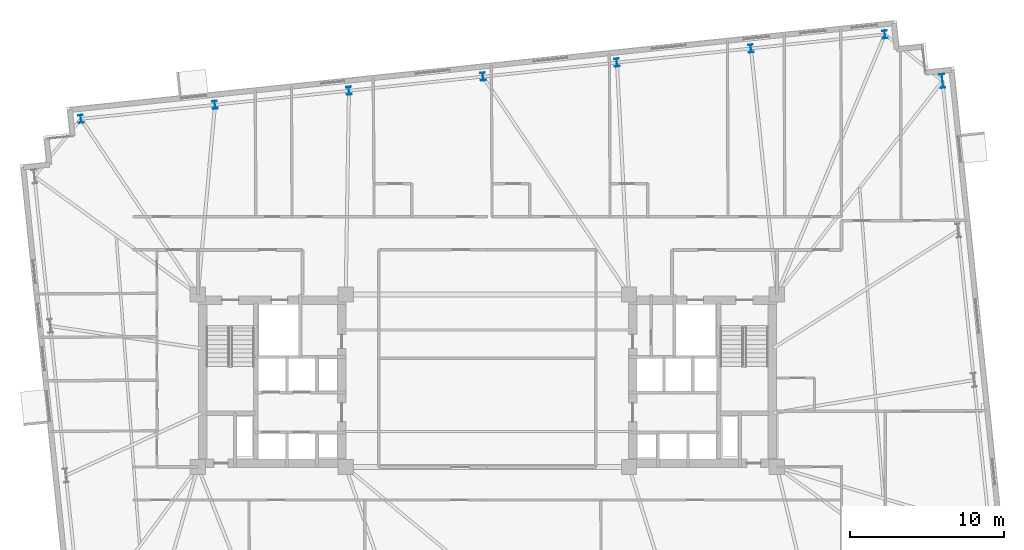
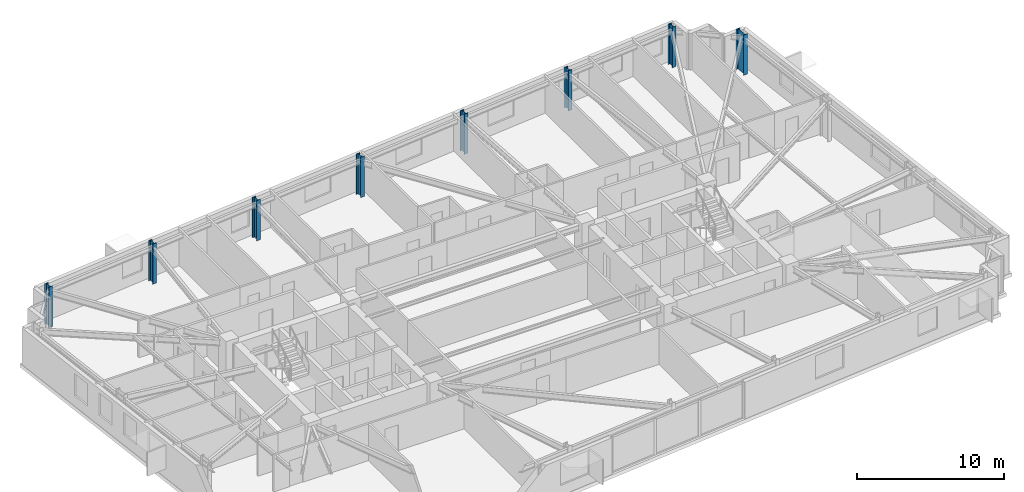
# One storey, part 3 of 23: 8 columns.
"""IFC4 building model written with IfcOpenShell, lengths in metres."""

from ifc_helpers import new_model, si_unit, direction, frame, origin, origin_2d, place, context, subcontext, project, spatial, i_section, extrude, material, material_profile, profile_set, type_object, element, save


model = new_model("IFC4")

# Units and contexts
model_context = context("Model", 3, precision=1e-05, world=origin(), true_north=direction((0.0, 1.0)))
body_context = subcontext(model_context, "Body", "Model", "MODEL_VIEW")
ifc_project = project(units=[si_unit("LENGTHUNIT", "METRE"), si_unit("AREAUNIT", "SQUARE_METRE"), si_unit("VOLUMEUNIT", "CUBIC_METRE"), si_unit("PLANEANGLEUNIT", "RADIAN"), si_unit("MASSUNIT", "GRAM", prefix="KILO")], contexts=[model_context])

# Site, building, storey
site_placement = place(None, origin())
site = spatial("IfcSite", under=ifc_project, at=site_placement, CompositionType="ELEMENT")
building_placement = place(site_placement, origin())
building = spatial("IfcBuilding", under=site, at=building_placement, Name="Qobustan Lattice House", CompositionType="ELEMENT")
storey_placement = place(building_placement, frame((0.0, 0.0, 95.75)))
storey = spatial("IfcBuildingStorey", under=building, at=storey_placement, Name="L26", CompositionType="ELEMENT", Elevation=95.75)

# Columns
ifc_material_1 = material(Name="Steel S355", Category="steel")
ifc_material_profile_1 = material_profile(ifc_material_1, i_section(OverallWidth=0.300048828125, OverallDepth=0.89990234375, WebThickness=0.0185546875, FlangeThickness=0.034912109375, FilletRadius=0.030029296875, at=origin_2d()), Name="HEB900")
ifc_profile_set_1 = profile_set([ifc_material_profile_1], Name="Steel S355")
column_type_1 = type_object("IfcColumnType", Name="COL-ST-HEB900", PredefinedType="COLUMN", material=ifc_profile_set_1)
column_placement = place(storey_placement, frame((29.55615234375, 19.468994140625, 0.0), z_axis=(0.0, 0.0, 1.0), x_axis=(0.994521895368, 0.104528463268, 0.0)))
element("IfcColumn", 1, at=column_placement, inside=storey, type_object=column_type_1, Name="L26 B2 perimeter column E4", PredefinedType="COLUMN", context=body_context, shape_type="SweptSolid", body=[
    extrude(i_section(OverallWidth=0.300048828125, OverallDepth=0.89990234375, WebThickness=0.0185546875, FlangeThickness=0.034912109375, FilletRadius=0.030029296875, at=origin_2d()), origin(), (0.0, 0.0, 1.0), 3.35009765625),
])
ifc_material_2 = material(Name="Steel S355", Category="steel")
ifc_material_profile_2 = material_profile(ifc_material_2, i_section(OverallWidth=0.305908203125, OverallDepth=0.52392578125, WebThickness=0.02099609375, FlangeThickness=0.0400390625, FilletRadius=0.027099609375, at=origin_2d()), Name="HEM500")
ifc_profile_set_2 = profile_set([ifc_material_profile_2], Name="Steel S355")
column_type_2 = type_object("IfcColumnType", Name="COL-ST-HEM500", PredefinedType="COLUMN", material=ifc_profile_set_2)
for number, where, z_axis, x_axis, name in (
    (2, (25.819580078125, 22.4951171875, 0.0), (0.0, 0.0, 1.0), (0.994521895368, 0.104528463268, 0.0), "L26 B2 perimeter column N1"),
    (3, (17.117431640625, 21.580322265625, 0.0), (0.0, 0.0, 1.0), (0.994521895368, 0.104528463268, 0.0), "L26 B2 perimeter column N2"),
    (4, (8.415283203125, 20.665771484375, 0.0), (0.0, 0.0, 1.0), (0.994521895368, 0.104528463268, 0.0), "L26 B2 perimeter column N3"),
    (5, (-0.28662109375, 19.751220703125, 0.0), (0.0, 0.0, 1.0), (0.994521895368, 0.104528463268, 0.0), "L26 B2 perimeter column N4"),
    (6, (-8.98876953125, 18.83642578125, 0.0), (0.0, 0.0, 1.0), (0.994521895368, 0.104528463268, 0.0), "L26 B2 perimeter column N5"),
    (7, (-17.69091796875, 17.921875, 0.0), (0.0, 0.0, 1.0), (0.994521895368, 0.104528463268, 0.0), "L26 B2 perimeter column N6"),
    (8, (-26.392822265625, 17.007080078125, 0.0), (0.0, 0.0, 1.0), (0.994521895368, 0.104528463268, 0.0), "L26 B2 perimeter column N7"),
):
    element("IfcColumn", number, at=place(storey_placement, frame(where, z_axis=z_axis, x_axis=x_axis)), inside=storey, type_object=column_type_2, Name=name, PredefinedType="COLUMN", context=body_context, shape_type="SweptSolid", body=[
        extrude(i_section(OverallWidth=0.305908203125, OverallDepth=0.52392578125, WebThickness=0.02099609375, FlangeThickness=0.0400390625, FilletRadius=0.027099609375, at=origin_2d()), origin(), (0.0, 0.0, 1.0), 3.35009765625),
    ])

save(model, "model.ifc")
